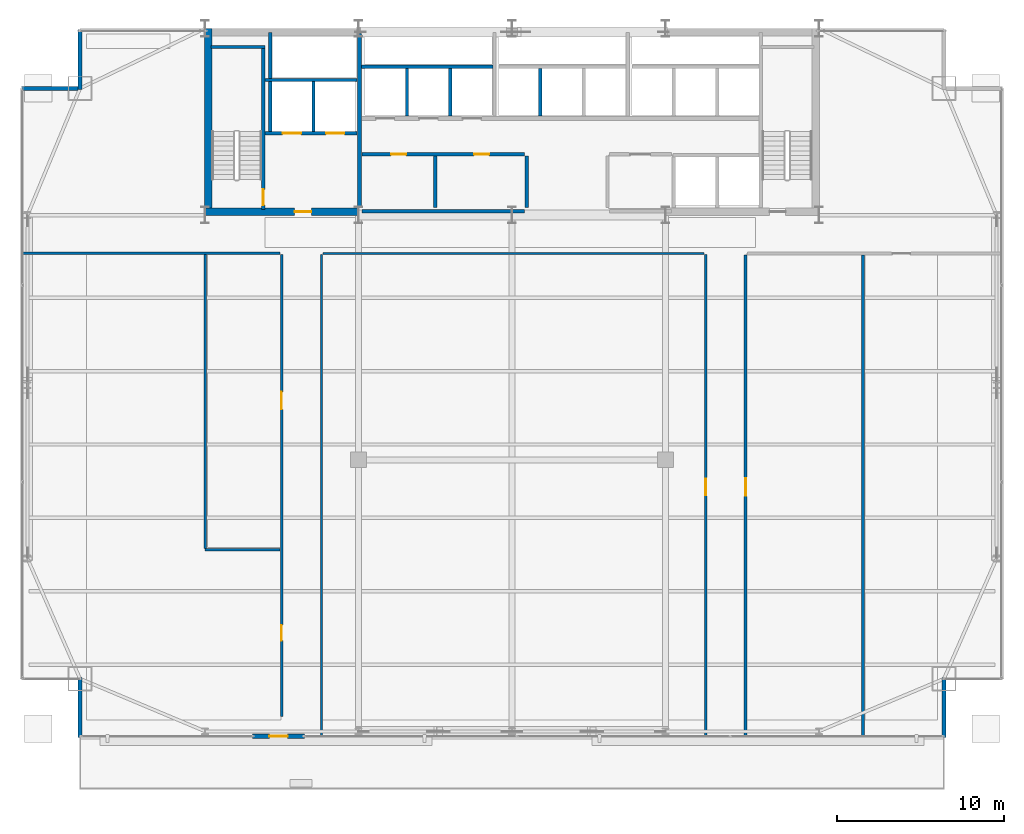
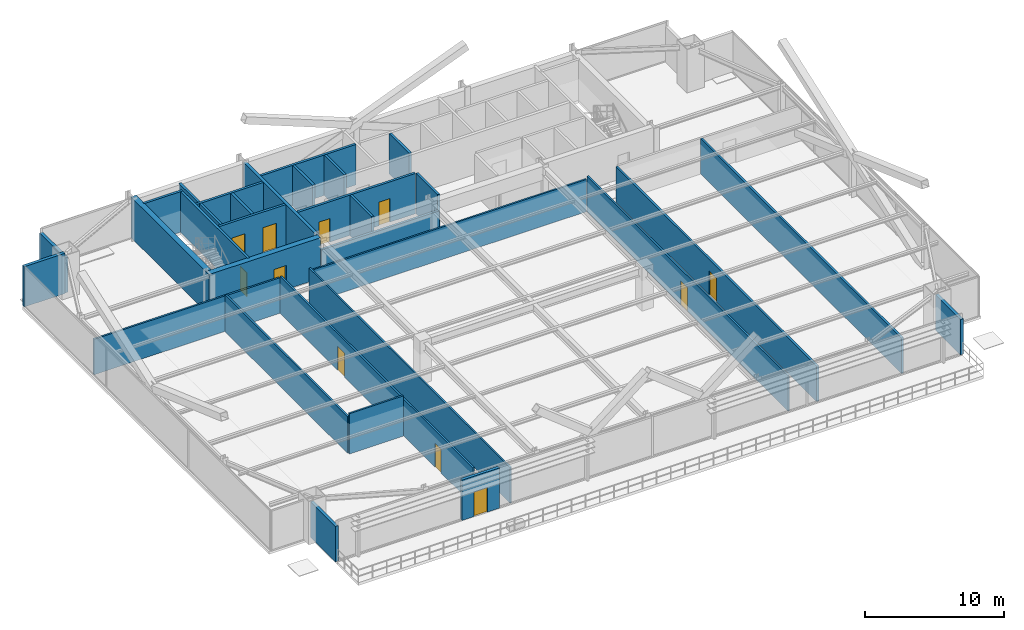
# One storey, part 32 of 35: 31 walls, 11 doors, 11 openings.
"""IFC4 building model written with IfcOpenShell, lengths in metres."""

from ifc_helpers import new_model, si_unit, direction, frame, frame_2d, origin, place, context, subcontext, project, spatial, rectangle, extrude, source, transform, mapped, material, layer, layer_set, type_object, type_shapes, element, fill, save


model = new_model("IFC4")

# Units and contexts
model_context = context("Model", 3, precision=1e-05, world=origin(), true_north=direction((0.0, 1.0)))
body_context = subcontext(model_context, "Body", "Model", "MODEL_VIEW")
ifc_project = project(units=[si_unit("LENGTHUNIT", "METRE"), si_unit("AREAUNIT", "SQUARE_METRE"), si_unit("VOLUMEUNIT", "CUBIC_METRE"), si_unit("PLANEANGLEUNIT", "RADIAN"), si_unit("MASSUNIT", "GRAM", prefix="KILO")], contexts=[model_context])

# Site, building, storey
site_placement = place(None, origin())
site = spatial("IfcSite", under=ifc_project, at=site_placement, CompositionType="ELEMENT")
building_placement = place(site_placement, origin())
building = spatial("IfcBuilding", under=site, at=building_placement, Name="Varnel Quay Broadcast Tower", CompositionType="ELEMENT")
storey_placement = place(building_placement, frame((0.0, 0.0, 87.0)))
storey = spatial("IfcBuildingStorey", under=building, at=storey_placement, Name="L20", CompositionType="ELEMENT", Elevation=87.0)

# Wall, opening, door
ifc_material_1 = material(Name="Concrete CSA A23.3 C50/60", Category="concrete")
ifc_layer_1 = layer(ifc_material_1, 0.199951171875, Name="Concrete CSA A23.3 C50/60")
ifc_layer_set_1 = layer_set([ifc_layer_1], Name="Concrete CSA A23.3 C50/60")
wall_type_1 = type_object("IfcWallType", Name="Wall_CoreShaftShear200", PredefinedType="SHEAR", material=ifc_layer_set_1)
wall_1_placement = place(storey_placement, frame((19.080078125, 35.949951171875, 0.0), z_axis=(0.0, 0.0, 1.0), x_axis=(0.0, 1.0, 0.0)))
wall_1 = element("IfcWall", 1, at=wall_1_placement, inside=storey, type_object=wall_type_1, Name="L20 Stair 1 East Structural Wall", PredefinedType="SHEAR", context=body_context, shape_type="SweptSolid", body=[
    extrude(rectangle(XDim=9.650146484375, YDim=0.199951171875, at=frame_2d((4.8251953125, 0.0))), origin(), (0.0, 0.0, 1.0), 3.550048828125),
])
opening_1_placement = place(wall_1_placement, frame((0.25, 0.0, 0.0)))
opening_1 = element("IfcOpeningElement", 2, at=opening_1_placement, cuts=wall_1, Name="Opening D-L20-S1", PredefinedType="OPENING", context=body_context, shape_type="SweptSolid", body=[
    extrude(rectangle(XDim=0.949951171875, YDim=2.10009765625, at=frame_2d((0.47509765625, 1.050048828125))), frame((0.0, 0.10986328125, 0.0), z_axis=(0.0, -1.0, 0.0), x_axis=(1.0, 0.0, 0.0)), (0.0, 0.0, 1.0), 0.219970703125),
])
ifc_material_2 = material(Name="Insulated Fire-Rated Hollow Steel Door", Category="steel")
door_type_1 = type_object("IfcDoorType", Name="Door_FireStair950", OperationType="NOTDEFINED", PredefinedType="DOOR", material=ifc_material_2)
shared_shape_1 = source(origin(), body_context, "Body", "SweptSolid", [
    extrude(rectangle(XDim=0.949951171875, YDim=2.10009765625, at=frame_2d((0.47509765625, 1.050048828125))), frame((0.0, 0.02490234375, 0.0), z_axis=(0.0, -1.0, 0.0), x_axis=(1.0, 0.0, 0.0)), (0.0, 0.0, 1.0), 0.050048828125),
])
type_shapes(door_type_1, [shared_shape_1])
door_1_placement = place(opening_1_placement, origin())
door_1 = element("IfcDoor", 3, at=door_1_placement, inside=storey, type_object=door_type_1, Name="L20 Stair 1 Fire Door", OperationType="SINGLE_SWING_RIGHT", OverallHeight=2.10009765625, OverallWidth=0.949951171875, PredefinedType="DOOR", context=body_context, shape_type="MappedRepresentation", body=[
    mapped(shared_shape_1, transform((0.0, 0.0, 0.0), x_axis=(1.0, 0.0, 0.0), y_axis=(0.0, 1.0, 0.0), z_axis=(0.0, 0.0, 1.0), scale=1.0)),
])
fill(opening_1, door_1)

# Wall
wall_2_placement = place(storey_placement, frame((15.949951171875, 45.679931640625, 0.0), z_axis=(0.0, 0.0, 1.0), x_axis=(1.0, 0.0, 0.0)))
element("IfcWall", 4, at=wall_2_placement, inside=storey, type_object=wall_type_1, Name="L20 Stair 1 North Structural Wall", PredefinedType="SHEAR", context=body_context, shape_type="SweptSolid", body=[
    extrude(rectangle(XDim=3.22998046875, YDim=0.199951171875, at=frame_2d((1.614990234375, 0.0))), origin(), (0.0, 0.0, 1.0), 3.550048828125),
])

# Wall, openings, doors
wall_3_placement = place(storey_placement, frame((19.199951171875, 40.5, 0.0), z_axis=(0.0, 0.0, 1.0), x_axis=(1.0, 0.0, 0.0)))
wall_3 = element("IfcWall", 5, at=wall_3_placement, inside=storey, type_object=wall_type_1, Name="L20 Firefighter Lift Shaft Front Wall", PredefinedType="SHEAR", context=body_context, shape_type="SweptSolid", body=[
    extrude(rectangle(XDim=5.52001953125, YDim=0.199951171875, at=frame_2d((2.760009765625, 0.0))), origin(), (0.0, 0.0, 1.0), 3.550048828125),
])
opening_2_placement = place(wall_3_placement, frame((1.050048828125, 0.0, 0.0)))
opening_2 = element("IfcOpeningElement", 6, at=opening_2_placement, cuts=wall_3, Name="Opening LD-L20-FE1", PredefinedType="OPENING", context=body_context, shape_type="SweptSolid", body=[
    extrude(rectangle(XDim=1.10009765625, YDim=2.179931640625, at=frame_2d((0.550048828125, 1.08984375))), frame((0.0, 0.10986328125, 0.0), z_axis=(0.0, -1.0, 0.0), x_axis=(1.0, 0.0, 0.0)), (0.0, 0.0, 1.0), 0.219970703125),
])
opening_3_placement = place(wall_3_placement, frame((3.64990234375, 0.0, 0.0)))
opening_3 = element("IfcOpeningElement", 7, at=opening_3_placement, cuts=wall_3, Name="Opening LD-L20-FE2", PredefinedType="OPENING", context=body_context, shape_type="SweptSolid", body=[
    extrude(rectangle(XDim=1.10009765625, YDim=2.179931640625, at=frame_2d((0.550048828125, 1.08984375))), frame((0.0, 0.10986328125, 0.0), z_axis=(0.0, -1.0, 0.0), x_axis=(1.0, 0.0, 0.0)), (0.0, 0.0, 1.0), 0.219970703125),
])
ifc_material_3 = material(Name="Brushed Bronze-Stainless Lift Car & Sliding Doors", Category="steel")
door_type_2 = type_object("IfcDoorType", Name="Door_LiftLanding1100", OperationType="SLIDING_TO_LEFT", PredefinedType="DOOR", material=ifc_material_3)
shared_shape_2 = source(origin(), body_context, "Body", "SweptSolid", [
    extrude(rectangle(XDim=1.10009765625, YDim=2.179931640625, at=frame_2d((0.550048828125, 1.08984375))), frame((0.0, 0.02490234375, 0.0), z_axis=(0.0, -1.0, 0.0), x_axis=(1.0, 0.0, 0.0)), (0.0, 0.0, 1.0), 0.050048828125),
])
type_shapes(door_type_2, [shared_shape_2])
door_2_placement = place(opening_2_placement, frame((1.10009765625, 0.0, 0.0), z_axis=(0.0, 0.0, 1.0), x_axis=(-1.0, 0.0, 0.0)))
door_2 = element("IfcDoor", 8, at=door_2_placement, inside=storey, type_object=door_type_2, Name="L20 Firefighter Lift FE-01 Landing Door", OperationType="SLIDING_TO_LEFT", OverallHeight=2.179931640625, OverallWidth=1.10009765625, PredefinedType="DOOR", context=body_context, shape_type="MappedRepresentation", body=[
    mapped(shared_shape_2, transform((0.0, 0.0, 0.0), x_axis=(1.0, 0.0, 0.0), y_axis=(0.0, 1.0, 0.0), z_axis=(0.0, 0.0, 1.0), scale=1.0)),
])
fill(opening_2, door_2)
door_3_placement = place(opening_3_placement, frame((1.10009765625, 0.0, 0.0), z_axis=(0.0, 0.0, 1.0), x_axis=(-1.0, 0.0, 0.0)))
door_3 = element("IfcDoor", 9, at=door_3_placement, inside=storey, type_object=door_type_2, Name="L20 Firefighter Lift FE-02 Landing Door", OperationType="SLIDING_TO_RIGHT", OverallHeight=2.179931640625, OverallWidth=1.10009765625, PredefinedType="DOOR", context=body_context, shape_type="MappedRepresentation", body=[
    mapped(shared_shape_2, transform((0.0, 0.0, 0.0), x_axis=(1.0, 0.0, 0.0), y_axis=(0.0, 1.0, 0.0), z_axis=(0.0, 0.0, 1.0), scale=1.0)),
])
fill(opening_3, door_3)

# Walls
wall_4_placement = place(storey_placement, frame((19.199951171875, 43.699951171875, 0.0), z_axis=(0.0, 0.0, 1.0), x_axis=(1.0, 0.0, 0.0)))
element("IfcWall", 10, at=wall_4_placement, inside=storey, type_object=wall_type_1, Name="L20 Firefighter Lift Shaft Rear Wall", PredefinedType="SHEAR", context=body_context, shape_type="SweptSolid", body=[
    extrude(rectangle(XDim=5.52001953125, YDim=0.199951171875, at=frame_2d((2.760009765625, 0.0))), origin(), (0.0, 0.0, 1.0), 3.550048828125),
])
wall_5_placement = place(storey_placement, frame((22.10009765625, 40.60009765625, 0.0), z_axis=(0.0, 0.0, 1.0), x_axis=(0.0, 1.0, 0.0)))
element("IfcWall", 11, at=wall_5_placement, inside=storey, type_object=wall_type_1, Name="L20 Firefighter Lift Shaft Divider", PredefinedType="SHEAR", context=body_context, shape_type="SweptSolid", body=[
    extrude(rectangle(XDim=3.0, YDim=0.199951171875, at=frame_2d((1.5, 0.0))), origin(), (0.0, 0.0, 1.0), 3.550048828125),
])
wall_6_placement = place(storey_placement, frame((19.5, 40.60009765625, 0.0), z_axis=(0.0, 0.0, 1.0), x_axis=(0.0, 1.0, 0.0)))
element("IfcWall", 12, at=wall_6_placement, inside=storey, type_object=wall_type_1, Name="L20 Firefighter Lift Shaft West Wall", PredefinedType="SHEAR", context=body_context, shape_type="SweptSolid", body=[
    extrude(rectangle(XDim=5.949951171875, YDim=0.199951171875, at=frame_2d((2.97509765625, 0.0))), origin(), (0.0, 0.0, 1.0), 3.550048828125),
])
wall_7_placement = place(storey_placement, frame((24.97998046875, 44.5, 0.0), z_axis=(0.0, 0.0, 1.0), x_axis=(1.0, 0.0, 0.0)))
element("IfcWall", 13, at=wall_7_placement, inside=storey, type_object=wall_type_1, Name="L20 Low-Rise Lift Shaft Rear Wall", PredefinedType="SHEAR", context=body_context, shape_type="SweptSolid", body=[
    extrude(rectangle(XDim=7.8701171875, YDim=0.199951171875, at=frame_2d((3.93505859375, 0.0))), origin(), (0.0, 0.0, 1.0), 3.550048828125),
])
for number, where, z_axis, x_axis, name in (
    (14, (27.699951171875, 41.530029296875, 0.0), (0.0, 0.0, 1.0), (0.0, 1.0, 0.0), "L20 Low-Rise Lift Shaft Divider 1"),
    (15, (30.300048828125, 41.530029296875, 0.0), (0.0, 0.0, 1.0), (0.0, 1.0, 0.0), "L20 Low-Rise Lift Shaft Divider 2"),
    (16, (35.699951171875, 41.530029296875, 0.0), (0.0, 0.0, 1.0), (0.0, 1.0, 0.0), "L20 Mid-Rise Lift Shaft Divider 2"),
):
    element("IfcWall", number, at=place(storey_placement, frame(where, z_axis=z_axis, x_axis=x_axis)), inside=storey, type_object=wall_type_1, Name=name, PredefinedType="SHEAR", context=body_context, shape_type="SweptSolid", body=[
        extrude(rectangle(XDim=2.869873046875, YDim=0.199951171875, at=frame_2d((1.43505859375, 0.0))), origin(), (0.0, 0.0, 1.0), 3.550048828125),
    ])
ifc_layer_2 = layer(ifc_material_1, 0.25, Name="Concrete CSA A23.3 C50/60")
ifc_layer_set_2 = layer_set([ifc_layer_2], Name="Concrete CSA A23.3 C50/60")
wall_type_2 = type_object("IfcWallType", Name="Wall_CoreShaftShear250", PredefinedType="SHEAR", material=ifc_layer_set_2)
wall_8_placement = place(storey_placement, frame((24.85009765625, 36.050048828125, 0.0), z_axis=(0.0, 0.0, 1.0), x_axis=(0.0, 1.0, 0.0)))
element("IfcWall", 17, at=wall_8_placement, inside=storey, type_object=wall_type_2, Name="L20 Firefighting Lobby East Structural Wall", PredefinedType="SHEAR", context=body_context, shape_type="SweptSolid", body=[
    extrude(rectangle(XDim=10.449951171875, YDim=0.25, at=frame_2d((5.22509765625, 0.0))), origin(), (0.0, 0.0, 1.0), 3.550048828125),
])
ifc_material_4 = material(Name="Concrete CSA A23.3 C60/75", Category="concrete")
ifc_layer_3 = layer(ifc_material_4, 0.449951171875, Name="Concrete CSA A23.3 C60/75")
ifc_layer_set_3 = layer_set([ifc_layer_3], Name="Concrete CSA A23.3 C60/75")
wall_type_3 = type_object("IfcWallType", Name="Wall_CoreShearInt450", PredefinedType="SHEAR", material=ifc_layer_set_3)
wall_9_placement = place(storey_placement, frame((15.794921875, 35.570068359375, 0.0), z_axis=(0.0, 0.0, 1.0), x_axis=(0.0, 1.0, 0.0)))
element("IfcWall", 18, at=wall_9_placement, inside=storey, type_object=wall_type_3, Name="L20 West Core Shear Wall", PredefinedType="SHEAR", context=body_context, shape_type="SweptSolid", body=[
    extrude(rectangle(XDim=11.22998046875, YDim=0.449951171875, at=frame_2d((5.614990234375, 0.0))), origin(), (0.0, 0.0, 1.0), 3.550048828125),
])

# Wall, opening, door
wall_10_placement = place(storey_placement, frame((15.570068359375, 35.794921875, 0.0), z_axis=(0.0, 0.0, 1.0), x_axis=(1.0, 0.0, 0.0)))
wall_10 = element("IfcWall", 19, at=wall_10_placement, inside=storey, type_object=wall_type_3, Name="L20 South-West Core Shear Wall", PredefinedType="SHEAR", context=body_context, shape_type="SweptSolid", body=[
    extrude(rectangle(XDim=9.22998046875, YDim=0.449951171875, at=frame_2d((4.614990234375, 0.0))), origin(), (0.0, 0.0, 1.0), 3.550048828125),
])
opening_4_placement = place(wall_10_placement, frame((5.39990234375, 0.0, 0.0)))
opening_4 = element("IfcOpeningElement", 20, at=opening_4_placement, cuts=wall_10, Name="Opening D-L20-FFL", PredefinedType="OPENING", context=body_context, shape_type="SweptSolid", body=[
    extrude(rectangle(XDim=1.0, YDim=2.10009765625, at=frame_2d((0.5, 1.050048828125))), frame((0.0, 0.23486328125, 0.0), z_axis=(0.0, -1.0, 0.0), x_axis=(1.0, 0.0, 0.0)), (0.0, 0.0, 1.0), 0.469970703125),
])
door_type_3 = type_object("IfcDoorType", Name="Door_FireLobby1000", OperationType="NOTDEFINED", PredefinedType="DOOR", material=ifc_material_2)
shared_shape_3 = source(origin(), body_context, "Body", "SweptSolid", [
    extrude(rectangle(XDim=1.0, YDim=2.10009765625, at=frame_2d((0.5, 1.050048828125))), frame((0.0, 0.02490234375, 0.0), z_axis=(0.0, -1.0, 0.0), x_axis=(1.0, 0.0, 0.0)), (0.0, 0.0, 1.0), 0.050048828125),
])
type_shapes(door_type_3, [shared_shape_3])
door_4_placement = place(opening_4_placement, origin())
door_4 = element("IfcDoor", 21, at=door_4_placement, inside=storey, type_object=door_type_3, Name="L20 Firefighting Lobby Door", OperationType="SINGLE_SWING_LEFT", OverallHeight=2.10009765625, OverallWidth=1.0, PredefinedType="DOOR", context=body_context, shape_type="MappedRepresentation", body=[
    mapped(shared_shape_3, transform((0.0, 0.0, 0.0), x_axis=(1.0, 0.0, 0.0), y_axis=(0.0, 1.0, 0.0), z_axis=(0.0, 0.0, 1.0), scale=1.0)),
])
fill(opening_4, door_4)

ifc_material_5 = material(Name="Precast Architectural Concrete C40/50", Category="concrete")
ifc_layer_4 = layer(ifc_material_5, 0.25, Name="Precast Architectural Concrete C40/50")
ifc_layer_set_4 = layer_set([ifc_layer_4], Name="Precast Architectural Concrete C40/50")
wall_type_4 = type_object("IfcWallType", Name="Wall_ExtTerrace250", PredefinedType="SOLIDWALL", material=ifc_layer_set_4)
wall_11_placement = place(storey_placement, frame((18.449951171875, 4.35009765625, 0.0), z_axis=(0.0, 0.0, 1.0), x_axis=(1.0, 0.0, 0.0)))
wall_11 = element("IfcWall", 22, at=wall_11_placement, inside=storey, type_object=wall_type_4, Name="L20 Terrace Access Wall 1", PredefinedType="SOLIDWALL", context=body_context, shape_type="SweptSolid", body=[
    extrude(rectangle(XDim=3.10009765625, YDim=0.25, at=frame_2d((1.550048828125, 0.0))), origin(), (0.0, 0.0, 1.0), 3.530029296875),
])
opening_5_placement = place(wall_11_placement, frame((1.0, 0.0, 0.0)))
opening_5 = element("IfcOpeningElement", 23, at=opening_5_placement, cuts=wall_11, Name="Opening TD-201", PredefinedType="OPENING", context=body_context, shape_type="SweptSolid", body=[
    extrude(rectangle(XDim=1.10009765625, YDim=2.14990234375, at=frame_2d((0.550048828125, 1.074951171875))), frame((0.0, 0.135009765625, 0.0), z_axis=(0.0, -1.0, 0.0), x_axis=(1.0, 0.0, 0.0)), (0.0, 0.0, 1.0), 0.27001953125),
])
ifc_material_6 = material(Name="Anodised Bronze Aluminium 6063-T6", Category="aluminium")
door_type_4 = type_object("IfcDoorType", Name="Door_ExtTerrace1100", OperationType="NOTDEFINED", PredefinedType="DOOR", material=ifc_material_6)
shared_shape_4 = source(origin(), body_context, "Body", "SweptSolid", [
    extrude(rectangle(XDim=1.10009765625, YDim=2.14990234375, at=frame_2d((0.550048828125, 1.074951171875))), frame((0.0, 0.02490234375, 0.0), z_axis=(0.0, -1.0, 0.0), x_axis=(1.0, 0.0, 0.0)), (0.0, 0.0, 1.0), 0.050048828125),
])
type_shapes(door_type_4, [shared_shape_4])
door_5_placement = place(opening_5_placement, frame((1.10009765625, 0.0, 0.0), z_axis=(0.0, 0.0, 1.0), x_axis=(-1.0, 0.0, 0.0)))
door_5 = element("IfcDoor", 24, at=door_5_placement, inside=storey, type_object=door_type_4, Name="L20 Terrace Door TD-201", OperationType="SINGLE_SWING_LEFT", OverallHeight=2.14990234375, OverallWidth=1.10009765625, PredefinedType="DOOR", context=body_context, shape_type="MappedRepresentation", body=[
    mapped(shared_shape_4, transform((0.0, 0.0, 0.0), x_axis=(1.0, 0.0, 0.0), y_axis=(0.0, 1.0, 0.0), z_axis=(0.0, 0.0, 1.0), scale=1.0)),
])
fill(opening_5, door_5)

# Walls
for number, where, z_axis, x_axis, name in (
    (25, (8.10009765625, 4.280029296875, 0.0), (0.0, 0.0, 1.0), (0.0, 1.0, 0.0), "L20 Mega-Column Notch Cladding Wall NSW2"),
    (26, (59.89990234375, 4.280029296875, 0.0), (0.0, 0.0, 1.0), (0.0, 1.0, 0.0), "L20 Mega-Column Notch Cladding Wall NSE2"),
):
    element("IfcWall", number, at=place(storey_placement, frame(where, z_axis=z_axis, x_axis=x_axis)), inside=storey, type_object=wall_type_4, Name=name, PredefinedType="SOLIDWALL", context=body_context, shape_type="SweptSolid", body=[
        extrude(rectangle(XDim=3.599853515625, YDim=0.25, at=frame_2d((1.7998046875, 0.0))), origin(), (0.0, 0.0, 1.0), 3.10791015625),
    ])
wall_12_placement = place(storey_placement, frame((4.580078125, 43.199951171875, 0.0), z_axis=(0.0, 0.0, 1.0), x_axis=(1.0, 0.0, 0.0)))
element("IfcWall", 27, at=wall_12_placement, inside=storey, type_object=wall_type_4, Name="L20 Mega-Column Notch Cladding Wall NNW1", PredefinedType="SOLIDWALL", context=body_context, shape_type="SweptSolid", body=[
    extrude(rectangle(XDim=3.389892578125, YDim=0.25, at=frame_2d((1.69482421875, 0.0))), origin(), (0.0, 0.0, 1.0), 3.530029296875),
])
wall_13_placement = place(storey_placement, frame((8.10009765625, 43.1201171875, 0.0), z_axis=(0.0, 0.0, 1.0), x_axis=(0.0, 1.0, 0.0)))
element("IfcWall", 28, at=wall_13_placement, inside=storey, type_object=wall_type_4, Name="L20 Mega-Column Notch Cladding Wall NNW2", PredefinedType="SOLIDWALL", context=body_context, shape_type="SweptSolid", body=[
    extrude(rectangle(XDim=3.599853515625, YDim=0.25, at=frame_2d((1.7998046875, 0.0))), origin(), (0.0, 0.0, 1.0), 3.10791015625),
])

# Wall, opening, door
ifc_material_7 = material(Name="Steel-Stud Fire-Rated Acoustic Gypsum Partition Assembly", Category="steel")
ifc_layer_5 = layer(ifc_material_7, 0.139892578125, Name="Steel-Stud Fire-Rated Acoustic Gypsum Partition Assembly")
ifc_layer_set_5 = layer_set([ifc_layer_5], Name="Steel-Stud Fire-Rated Acoustic Gypsum Partition Assembly")
wall_type_5 = type_object("IfcWallType", Name="Wall_Partition140", PredefinedType="PARTITIONING", material=ifc_layer_set_5)
wall_14_placement = place(storey_placement, frame((45.610107421875, 4.3798828125, 0.0), z_axis=(0.0, 0.0, 1.0), x_axis=(0.0, 1.0, 0.0)))
wall_14 = element("IfcWall", 29, at=wall_14_placement, inside=storey, type_object=wall_type_5, Name="L20 Reading Lounge 3 Partition 12", PredefinedType="PARTITIONING", context=body_context, shape_type="SweptSolid", body=[
    extrude(rectangle(XDim=28.85009765625, YDim=0.139892578125, at=frame_2d((14.425048828125, 0.0))), origin(), (0.0, 0.0, 1.0), 3.10791015625),
])
opening_6_placement = place(wall_14_placement, frame((14.4150390625, 0.0, 0.0)))
opening_6 = element("IfcOpeningElement", 30, at=opening_6_placement, cuts=wall_14, Name="Opening D-L20-06", PredefinedType="OPENING", context=body_context, shape_type="SweptSolid", body=[
    extrude(rectangle(XDim=1.0, YDim=2.10009765625, at=frame_2d((0.5, 1.050048828125))), frame((0.0, 0.080078125, 0.0), z_axis=(0.0, -1.0, 0.0), x_axis=(1.0, 0.0, 0.0)), (0.0, 0.0, 1.0), 0.159912109375),
])
ifc_material_8 = material(Name="Solid-Core Fire-Rated Acoustic Oak Veneer Door", Category="wood")
door_type_5 = type_object("IfcDoorType", Name="Door_Exec1000", OperationType="NOTDEFINED", PredefinedType="DOOR", material=ifc_material_8)
shared_shape_5 = source(origin(), body_context, "Body", "SweptSolid", [
    extrude(rectangle(XDim=1.0, YDim=2.10009765625, at=frame_2d((0.5, 1.050048828125))), frame((0.0, 0.02490234375, 0.0), z_axis=(0.0, -1.0, 0.0), x_axis=(1.0, 0.0, 0.0)), (0.0, 0.0, 1.0), 0.050048828125),
])
type_shapes(door_type_5, [shared_shape_5])
door_6_placement = place(opening_6_placement, origin())
door_6 = element("IfcDoor", 31, at=door_6_placement, inside=storey, type_object=door_type_5, Name="L20 Reading Lounge 3 Door D-L20-06", OperationType="SINGLE_SWING_RIGHT", OverallHeight=2.10009765625, OverallWidth=1.0, PredefinedType="DOOR", context=body_context, shape_type="MappedRepresentation", body=[
    mapped(shared_shape_5, transform((0.0, 0.0, 0.0), x_axis=(1.0, 0.0, 0.0), y_axis=(0.0, 1.0, 0.0), z_axis=(0.0, 0.0, 1.0), scale=1.0)),
])
fill(opening_6, door_6)

# Walls
wall_15_placement = place(storey_placement, frame((22.679931640625, 33.300048828125, 0.0), z_axis=(0.0, 0.0, 1.0), x_axis=(1.0, 0.0, 0.0)))
element("IfcWall", 32, at=wall_15_placement, inside=storey, type_object=wall_type_5, Name="L20 Reading Lounge 3 Partition 13", PredefinedType="PARTITIONING", context=body_context, shape_type="SweptSolid", body=[
    extrude(rectangle(XDim=22.830078125, YDim=0.139892578125, at=frame_2d((11.4150390625, 0.0))), origin(), (0.0, 0.0, 1.0), 2.830078125),
])
wall_16_placement = place(storey_placement, frame((22.580078125, 4.3798828125, 0.0), z_axis=(0.0, 0.0, 1.0), x_axis=(0.0, 1.0, 0.0)))
element("IfcWall", 33, at=wall_16_placement, inside=storey, type_object=wall_type_5, Name="L20 Reading Lounge 3 Partition 14", PredefinedType="PARTITIONING", context=body_context, shape_type="SweptSolid", body=[
    extrude(rectangle(XDim=28.85009765625, YDim=0.139892578125, at=frame_2d((14.425048828125, 0.0))), origin(), (0.0, 0.0, 1.0), 3.10791015625),
])

# Wall, openings, doors
ifc_layer_6 = layer(ifc_material_7, 0.14990234375, Name="Steel-Stud Fire-Rated Acoustic Gypsum Partition Assembly")
ifc_layer_set_6 = layer_set([ifc_layer_6], Name="Steel-Stud Fire-Rated Acoustic Gypsum Partition Assembly")
wall_type_6 = type_object("IfcWallType", Name="Wall_Partition150", PredefinedType="PARTITIONING", material=ifc_layer_set_6)
wall_17_placement = place(storey_placement, frame((20.179931640625, 5.550048828125, 0.0), z_axis=(0.0, 0.0, 1.0), x_axis=(0.0, 1.0, 0.0)))
wall_17 = element("IfcWall", 34, at=wall_17_placement, inside=storey, type_object=wall_type_6, Name="L20 Bureau Office 1 Partition 8", PredefinedType="PARTITIONING", context=body_context, shape_type="SweptSolid", body=[
    extrude(rectangle(XDim=27.675048828125, YDim=0.14990234375, at=frame_2d((13.83740234375, 0.0))), origin(), (0.0, 0.0, 1.0), 3.221923828125),
])
opening_7_placement = place(wall_17_placement, frame((4.5400390625, 0.0, 0.0)))
opening_7 = element("IfcOpeningElement", 35, at=opening_7_placement, cuts=wall_17, Name="Opening D-L20-04", PredefinedType="OPENING", context=body_context, shape_type="SweptSolid", body=[
    extrude(rectangle(XDim=0.919921875, YDim=2.080078125, at=frame_2d((0.4599609375, 1.0400390625))), frame((0.0, 0.0849609375, 0.0), z_axis=(0.0, -1.0, 0.0), x_axis=(1.0, 0.0, 0.0)), (0.0, 0.0, 1.0), 0.169921875),
])
opening_8_placement = place(wall_17_placement, frame((18.39990234375, 0.0, 0.0)))
opening_8 = element("IfcOpeningElement", 36, at=opening_8_placement, cuts=wall_17, Name="Opening D-L20-05", PredefinedType="OPENING", context=body_context, shape_type="SweptSolid", body=[
    extrude(rectangle(XDim=1.050048828125, YDim=2.10009765625, at=frame_2d((0.52490234375, 1.050048828125))), frame((0.0, 0.0849609375, 0.0), z_axis=(0.0, -1.0, 0.0), x_axis=(1.0, 0.0, 0.0)), (0.0, 0.0, 1.0), 0.169921875),
])
door_type_6 = type_object("IfcDoorType", Name="Door_Office920", OperationType="NOTDEFINED", PredefinedType="DOOR", material=ifc_material_8)
shared_shape_6 = source(origin(), body_context, "Body", "SweptSolid", [
    extrude(rectangle(XDim=0.919921875, YDim=2.080078125, at=frame_2d((0.4599609375, 1.0400390625))), frame((0.0, 0.02490234375, 0.0), z_axis=(0.0, -1.0, 0.0), x_axis=(1.0, 0.0, 0.0)), (0.0, 0.0, 1.0), 0.050048828125),
])
type_shapes(door_type_6, [shared_shape_6])
door_7_placement = place(opening_7_placement, origin())
door_7 = element("IfcDoor", 37, at=door_7_placement, inside=storey, type_object=door_type_6, Name="L20 Bureau Office 1 Door D-L20-04", OperationType="SINGLE_SWING_RIGHT", OverallHeight=2.080078125, OverallWidth=0.919921875, PredefinedType="DOOR", context=body_context, shape_type="MappedRepresentation", body=[
    mapped(shared_shape_6, transform((0.0, 0.0, 0.0), x_axis=(1.0, 0.0, 0.0), y_axis=(0.0, 1.0, 0.0), z_axis=(0.0, 0.0, 1.0), scale=1.0)),
])
fill(opening_7, door_7)
door_type_7 = type_object("IfcDoorType", Name="Door_Meeting1050", OperationType="NOTDEFINED", PredefinedType="DOOR", material=ifc_material_8)
shared_shape_7 = source(origin(), body_context, "Body", "SweptSolid", [
    extrude(rectangle(XDim=1.050048828125, YDim=2.10009765625, at=frame_2d((0.52490234375, 1.050048828125))), frame((0.0, 0.02490234375, 0.0), z_axis=(0.0, -1.0, 0.0), x_axis=(1.0, 0.0, 0.0)), (0.0, 0.0, 1.0), 0.050048828125),
])
type_shapes(door_type_7, [shared_shape_7])
door_8_placement = place(opening_8_placement, origin())
door_8 = element("IfcDoor", 38, at=door_8_placement, inside=storey, type_object=door_type_7, Name="L20 Editorial Huddle Room 2 Door D-L20-05", OperationType="SINGLE_SWING_LEFT", OverallHeight=2.10009765625, OverallWidth=1.050048828125, PredefinedType="DOOR", context=body_context, shape_type="MappedRepresentation", body=[
    mapped(shared_shape_7, transform((0.0, 0.0, 0.0), x_axis=(1.0, 0.0, 0.0), y_axis=(0.0, 1.0, 0.0), z_axis=(0.0, 0.0, 1.0), scale=1.0)),
])
fill(opening_8, door_8)

# Walls
wall_18_placement = place(storey_placement, frame((15.60009765625, 15.550048828125, 0.0), z_axis=(0.0, 0.0, 1.0), x_axis=(1.0, 0.0, 0.0)))
element("IfcWall", 39, at=wall_18_placement, inside=storey, type_object=wall_type_6, Name="L20 Bureau Office 1 Partition 9", PredefinedType="PARTITIONING", context=body_context, shape_type="SweptSolid", body=[
    extrude(rectangle(XDim=4.47998046875, YDim=0.14990234375, at=frame_2d((2.239990234375, 0.0))), origin(), (0.0, 0.0, 1.0), 3.530029296875),
])
wall_19_placement = place(storey_placement, frame((15.60009765625, 15.625, 0.0), z_axis=(0.0, 0.0, 1.0), x_axis=(0.0, 1.0, 0.0)))
element("IfcWall", 40, at=wall_19_placement, inside=storey, type_object=wall_type_6, Name="L20 Bureau Office 1 Partition 10", PredefinedType="PARTITIONING", context=body_context, shape_type="SweptSolid", body=[
    extrude(rectangle(XDim=17.60009765625, YDim=0.14990234375, at=frame_2d((8.800048828125, 0.0))), origin(), (0.0, 0.0, 1.0), 3.221923828125),
])
wall_20_placement = place(storey_placement, frame((4.679931640625, 33.300048828125, 0.0), z_axis=(0.0, 0.0, 1.0), x_axis=(1.0, 0.0, 0.0)))
element("IfcWall", 41, at=wall_20_placement, inside=storey, type_object=wall_type_6, Name="L20 Bureau Office 1 Partition 11", PredefinedType="PARTITIONING", context=body_context, shape_type="SweptSolid", body=[
    extrude(rectangle(XDim=15.400146484375, YDim=0.14990234375, at=frame_2d((7.7001953125, 0.0))), origin(), (0.0, 0.0, 1.0), 3.10791015625),
])
ifc_layer_7 = layer(ifc_material_7, 0.175048828125, Name="Steel-Stud Fire-Rated Acoustic Gypsum Partition Assembly")
ifc_layer_set_7 = layer_set([ifc_layer_7], Name="Steel-Stud Fire-Rated Acoustic Gypsum Partition Assembly")
wall_type_7 = type_object("IfcWallType", Name="Wall_Partition175", PredefinedType="PARTITIONING", material=ifc_layer_set_7)
wall_21_placement = place(storey_placement, frame((55.0400390625, 4.3798828125, 0.0), z_axis=(0.0, 0.0, 1.0), x_axis=(0.0, 1.0, 0.0)))
element("IfcWall", 42, at=wall_21_placement, inside=storey, type_object=wall_type_7, Name="L20 Broadcast Seminar Room 4 Partition 15", PredefinedType="PARTITIONING", context=body_context, shape_type="SweptSolid", body=[
    extrude(rectangle(XDim=28.83203125, YDim=0.175048828125, at=frame_2d((14.416015625, 0.0))), origin(), (0.0, 0.0, 1.0), 3.10791015625),
])

# Wall, opening, door
wall_22_placement = place(storey_placement, frame((48.010009765625, 4.3798828125, 0.0), z_axis=(0.0, 0.0, 1.0), x_axis=(0.0, 1.0, 0.0)))
wall_22 = element("IfcWall", 43, at=wall_22_placement, inside=storey, type_object=wall_type_7, Name="L20 Broadcast Seminar Room 4 Partition 17", PredefinedType="PARTITIONING", context=body_context, shape_type="SweptSolid", body=[
    extrude(rectangle(XDim=28.83203125, YDim=0.175048828125, at=frame_2d((14.416015625, 0.0))), origin(), (0.0, 0.0, 1.0), 3.10791015625),
])
opening_9_placement = place(wall_22_placement, frame((14.389892578125, 0.0, 0.0)))
opening_9 = element("IfcOpeningElement", 44, at=opening_9_placement, cuts=wall_22, Name="Opening D-L20-07", PredefinedType="OPENING", context=body_context, shape_type="SweptSolid", body=[
    extrude(rectangle(XDim=1.050048828125, YDim=2.10009765625, at=frame_2d((0.52490234375, 1.050048828125))), frame((0.0, 0.09765625, 0.0), z_axis=(0.0, -1.0, 0.0), x_axis=(1.0, 0.0, 0.0)), (0.0, 0.0, 1.0), 0.195068359375),
])
door_9_placement = place(opening_9_placement, frame((1.050048828125, 0.0, 0.0), z_axis=(0.0, 0.0, 1.0), x_axis=(-1.0, 0.0, 0.0)))
door_9 = element("IfcDoor", 45, at=door_9_placement, inside=storey, type_object=door_type_7, Name="L20 Broadcast Seminar Room 4 Door D-L20-07", OperationType="SINGLE_SWING_LEFT", OverallHeight=2.10009765625, OverallWidth=1.050048828125, PredefinedType="DOOR", context=body_context, shape_type="MappedRepresentation", body=[
    mapped(shared_shape_7, transform((0.0, 0.0, 0.0), x_axis=(1.0, 0.0, 0.0), y_axis=(0.0, 1.0, 0.0), z_axis=(0.0, 0.0, 1.0), scale=1.0)),
])
fill(opening_9, door_9)

# Walls
ifc_material_9 = material(Name="Fire-Rated Moisture-Resistant Plumbing Chase Partition")
ifc_layer_8 = layer(ifc_material_9, 0.199951171875, Name="Fire-Rated Moisture-Resistant Plumbing Chase Partition")
ifc_layer_set_8 = layer_set([ifc_layer_8], Name="Fire-Rated Moisture-Resistant Plumbing Chase Partition")
wall_type_8 = type_object("IfcWallType", Name="Wall_Plumbing200", PredefinedType="PLUMBINGWALL", material=ifc_layer_set_8)
wall_23_placement = place(storey_placement, frame((25.0, 35.824951171875, 0.0), z_axis=(0.0, 0.0, 1.0), x_axis=(1.0, 0.0, 0.0)))
element("IfcWall", 46, at=wall_23_placement, inside=storey, type_object=wall_type_8, Name="L20 Accessible Washroom Partition 1", PredefinedType="PLUMBINGWALL", context=body_context, shape_type="SweptSolid", body=[
    extrude(rectangle(XDim=9.75, YDim=0.199951171875, at=frame_2d((4.875, 0.0))), origin(), (0.0, 0.0, 1.0), 2.324951171875),
])
wall_24_placement = place(storey_placement, frame((29.39990234375, 36.050048828125, 0.0), z_axis=(0.0, 0.0, 1.0), x_axis=(0.0, 1.0, 0.0)))
element("IfcWall", 47, at=wall_24_placement, inside=storey, type_object=wall_type_8, Name="L20 Accessible Washroom Partition 2", PredefinedType="PLUMBINGWALL", context=body_context, shape_type="SweptSolid", body=[
    extrude(rectangle(XDim=3.099853515625, YDim=0.199951171875, at=frame_2d((1.5498046875, 0.0))), origin(), (0.0, 0.0, 1.0), 3.530029296875),
])

# Wall, openings, doors
wall_25_placement = place(storey_placement, frame((25.0, 39.25, 0.0), z_axis=(0.0, 0.0, 1.0), x_axis=(1.0, 0.0, 0.0)))
wall_25 = element("IfcWall", 48, at=wall_25_placement, inside=storey, type_object=wall_type_8, Name="L20 Accessible Washroom Partition 3", PredefinedType="PLUMBINGWALL", context=body_context, shape_type="SweptSolid", body=[
    extrude(rectangle(XDim=9.75, YDim=0.199951171875, at=frame_2d((4.875, 0.0))), origin(), (0.0, 0.0, 1.0), 3.530029296875),
])
opening_10_placement = place(wall_25_placement, frame((1.75, 0.0, 0.0)))
opening_10 = element("IfcOpeningElement", 49, at=opening_10_placement, cuts=wall_25, Name="Opening D-L20-01", PredefinedType="OPENING", context=body_context, shape_type="SweptSolid", body=[
    extrude(rectangle(XDim=0.89990234375, YDim=2.06005859375, at=frame_2d((0.449951171875, 1.030029296875))), frame((0.0, 0.10986328125, 0.0), z_axis=(0.0, -1.0, 0.0), x_axis=(1.0, 0.0, 0.0)), (0.0, 0.0, 1.0), 0.219970703125),
])
opening_11_placement = place(wall_25_placement, frame((6.72509765625, 0.0, 0.0)))
opening_11 = element("IfcOpeningElement", 50, at=opening_11_placement, cuts=wall_25, Name="Opening D-L20-02", PredefinedType="OPENING", context=body_context, shape_type="SweptSolid", body=[
    extrude(rectangle(XDim=0.89990234375, YDim=2.06005859375, at=frame_2d((0.449951171875, 1.030029296875))), frame((0.0, 0.10986328125, 0.0), z_axis=(0.0, -1.0, 0.0), x_axis=(1.0, 0.0, 0.0)), (0.0, 0.0, 1.0), 0.219970703125),
])
door_type_8 = type_object("IfcDoorType", Name="Door_Washroom900", OperationType="NOTDEFINED", PredefinedType="DOOR", material=ifc_material_8)
shared_shape_8 = source(origin(), body_context, "Body", "SweptSolid", [
    extrude(rectangle(XDim=0.89990234375, YDim=2.06005859375, at=frame_2d((0.449951171875, 1.030029296875))), frame((0.0, 0.02490234375, 0.0), z_axis=(0.0, -1.0, 0.0), x_axis=(1.0, 0.0, 0.0)), (0.0, 0.0, 1.0), 0.050048828125),
])
type_shapes(door_type_8, [shared_shape_8])
door_10_placement = place(opening_10_placement, frame((0.89990234375, 0.0, 0.0), z_axis=(0.0, 0.0, 1.0), x_axis=(-1.0, 0.0, 0.0)))
door_10 = element("IfcDoor", 51, at=door_10_placement, inside=storey, type_object=door_type_8, Name="L20 Accessible Washroom Door D-L20-01", OperationType="SINGLE_SWING_LEFT", OverallHeight=2.06005859375, OverallWidth=0.89990234375, PredefinedType="DOOR", context=body_context, shape_type="MappedRepresentation", body=[
    mapped(shared_shape_8, transform((0.0, 0.0, 0.0), x_axis=(1.0, 0.0, 0.0), y_axis=(0.0, 1.0, 0.0), z_axis=(0.0, 0.0, 1.0), scale=1.0)),
])
fill(opening_10, door_10)
door_11_placement = place(opening_11_placement, frame((0.89990234375, 0.0, 0.0), z_axis=(0.0, 0.0, 1.0), x_axis=(-1.0, 0.0, 0.0)))
door_11 = element("IfcDoor", 52, at=door_11_placement, inside=storey, type_object=door_type_8, Name="L20 Staff Washrooms Door D-L20-02", OperationType="SINGLE_SWING_RIGHT", OverallHeight=2.06005859375, OverallWidth=0.89990234375, PredefinedType="DOOR", context=body_context, shape_type="MappedRepresentation", body=[
    mapped(shared_shape_8, transform((0.0, 0.0, 0.0), x_axis=(1.0, 0.0, 0.0), y_axis=(0.0, 1.0, 0.0), z_axis=(0.0, 0.0, 1.0), scale=1.0)),
])
fill(opening_11, door_11)

# Wall
wall_26_placement = place(storey_placement, frame((34.875, 36.050048828125, 0.0), z_axis=(0.0, 0.0, 1.0), x_axis=(0.0, 1.0, 0.0)))
element("IfcWall", 53, at=wall_26_placement, inside=storey, type_object=wall_type_8, Name="L20 Staff Washrooms Partition 4", PredefinedType="PLUMBINGWALL", context=body_context, shape_type="SweptSolid", body=[
    extrude(rectangle(XDim=3.099853515625, YDim=0.199951171875, at=frame_2d((1.5498046875, 0.0))), origin(), (0.0, 0.0, 1.0), 3.530029296875),
])

save(model, "model.ifc")
